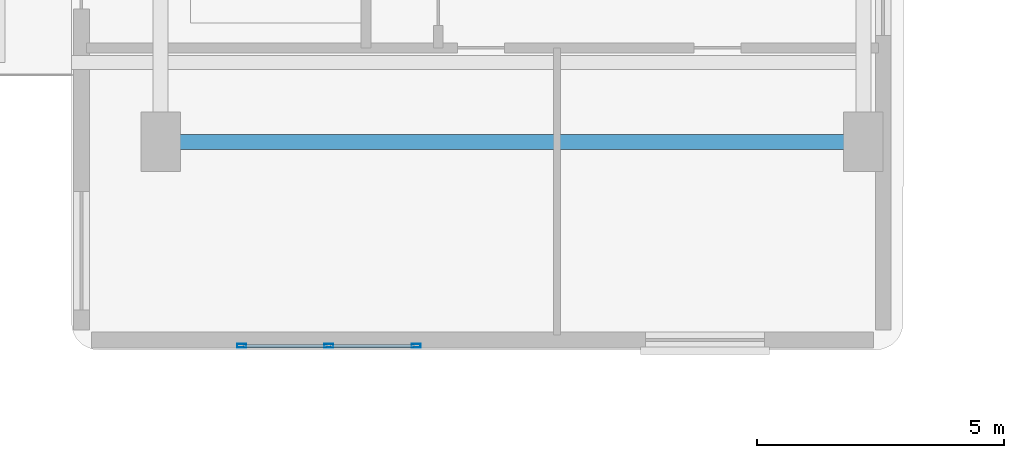
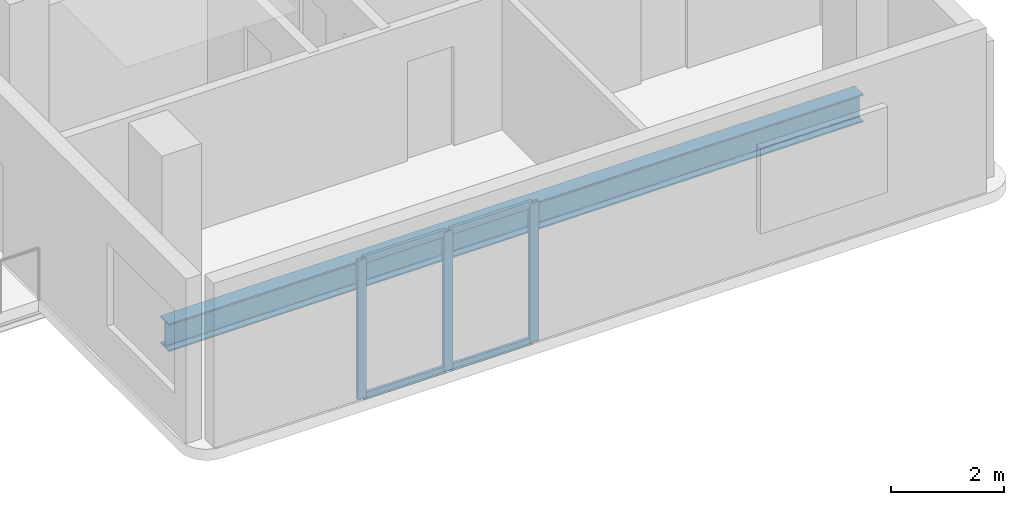
# One storey, part 2 of 16: 7 members, 1 beam, 1 element without a shape of its own.
"""IFC4 building model written with IfcOpenShell, lengths in metres."""

from ifc_helpers import new_model, si_unit, direction, frame, origin, origin_2d, place, context, subcontext, project, spatial, hollow_rectangle, i_section, extrude, material, material_profile, profile_set, type_object, element, aggregate, save


model = new_model("IFC4")

# Units and contexts
model_context = context("Model", 3, precision=1e-05, world=origin(), true_north=direction((0.0, 1.0)))
body_context = subcontext(model_context, "Body", "Model", "MODEL_VIEW")
ifc_project = project(units=[si_unit("LENGTHUNIT", "METRE"), si_unit("AREAUNIT", "SQUARE_METRE"), si_unit("VOLUMEUNIT", "CUBIC_METRE"), si_unit("PLANEANGLEUNIT", "RADIAN"), si_unit("MASSUNIT", "GRAM", prefix="KILO")], contexts=[model_context])

# Site, building, storey
site_placement = place(None, origin())
site = spatial("IfcSite", under=ifc_project, at=site_placement, CompositionType="ELEMENT")
building_placement = place(site_placement, origin())
building = spatial("IfcBuilding", under=site, at=building_placement, Name="Kuzgunbayir Cultural Tower", CompositionType="ELEMENT")
storey_placement = place(building_placement, frame((0.0, 0.0, 75.60009765625)))
storey = spatial("IfcBuildingStorey", under=building, at=storey_placement, Name="L21", CompositionType="ELEMENT", Elevation=75.60009765625)

# Beam
ifc_material_1 = material(Name="Steel S355J2", Category="steel")
ifc_material_profile_1 = material_profile(ifc_material_1, i_section(OverallWidth=0.300048828125, OverallDepth=0.60009765625, WebThickness=0.015380859375, FlangeThickness=0.030029296875, FilletRadius=0.027099609375, at=origin_2d()), Name="HEB 600")
ifc_profile_set_1 = profile_set([ifc_material_profile_1], Name="Steel S355J2")
beam_type = type_object("IfcBeamType", Name="BM-GIR-HEB600", PredefinedType="BEAM", material=ifc_profile_set_1)
beam_placement = place(storey_placement, frame((5.39990234375, 12.60009765625, -0.5400390625), z_axis=(1.0, 0.0, 0.0), x_axis=(0.0, 1.0, 0.0)))
element("IfcBeam", 1, at=beam_placement, inside=storey, type_object=beam_type, Name="L21 Wing A Transverse Girder 1", PredefinedType="BEAM", context=body_context, shape_type="SweptSolid", body=[
    extrude(i_section(OverallWidth=0.300048828125, OverallDepth=0.60009765625, WebThickness=0.015380859375, FlangeThickness=0.030029296875, FilletRadius=0.027099609375, at=origin_2d()), origin(), (0.0, 0.0, 1.0), 14.2001953125),
])

# Curtain wall, members
ifc_material_2 = material(Name="Anodised Aluminium Framing", Category="aluminium")
curtain_wall_type = type_object("IfcCurtainWallType", Name="CW03-T1-OFFICE", PredefinedType="NOTDEFINED", material=ifc_material_2)
curtain_wall_placement = place(storey_placement, origin())
curtain_wall = element("IfcCurtainWall", 2, at=curtain_wall_placement, inside=storey, type_object=curtain_wall_type, Name="L21 Wing A South Feature Curtain Wall", PredefinedType="NOTDEFINED")
ifc_material_profile_2 = material_profile(ifc_material_2, hollow_rectangle(XDim=0.074951171875, YDim=0.179931640625, WallThickness=0.0048828125, at=origin_2d()), Name="RHS 180x75x5")
ifc_profile_set_2 = profile_set([ifc_material_profile_2], Name="Anodised Aluminium Framing")
member_type_1 = type_object("IfcMemberType", Name="MEM-CW-MULLION-180", PredefinedType="MULLION", material=ifc_profile_set_2)
member_1_placement = place(storey_placement, frame((7.03759765625, 8.47998046875, 0.0), z_axis=(0.0, 0.0, 1.0), x_axis=(0.0, 1.0, 0.0)))
member_1 = element("IfcMember", 3, at=member_1_placement, type_object=member_type_1, Name="CW03 mullion 1", PredefinedType="MULLION", context=body_context, shape_type="SweptSolid", body=[
    extrude(hollow_rectangle(XDim=0.074951171875, YDim=0.179931640625, WallThickness=0.0048828125, at=origin_2d()), origin(), (0.0, 0.0, 1.0), 3.010009765625),
])
member_2_placement = place(storey_placement, frame((8.800048828125, 8.47998046875, 0.0), z_axis=(0.0, 0.0, 1.0), x_axis=(0.0, 1.0, 0.0)))
member_2 = element("IfcMember", 4, at=member_2_placement, type_object=member_type_1, Name="CW03 mullion 2", PredefinedType="MULLION", context=body_context, shape_type="SweptSolid", body=[
    extrude(hollow_rectangle(XDim=0.074951171875, YDim=0.179931640625, WallThickness=0.0048828125, at=origin_2d()), origin(), (0.0, 0.0, 1.0), 3.010009765625),
])
member_3_placement = place(storey_placement, frame((10.5625, 8.47998046875, 0.0), z_axis=(0.0, 0.0, 1.0), x_axis=(0.0, 1.0, 0.0)))
member_3 = element("IfcMember", 5, at=member_3_placement, type_object=member_type_1, Name="CW03 mullion 3", PredefinedType="MULLION", context=body_context, shape_type="SweptSolid", body=[
    extrude(hollow_rectangle(XDim=0.074951171875, YDim=0.179931640625, WallThickness=0.0048828125, at=origin_2d()), origin(), (0.0, 0.0, 1.0), 3.010009765625),
])
ifc_material_profile_3 = material_profile(ifc_material_2, hollow_rectangle(XDim=0.06005859375, YDim=0.14990234375, WallThickness=0.00390625, at=origin_2d()), Name="RHS 150x60x4")
ifc_profile_set_3 = profile_set([ifc_material_profile_3], Name="Anodised Aluminium Framing")
member_type_2 = type_object("IfcMemberType", Name="MEM-CW-TRANSOM-150", PredefinedType="USERDEFINED", material=ifc_profile_set_3)
member_4_placement = place(storey_placement, frame((7.074951171875, 8.47998046875, 0.02978515625), z_axis=(1.0, 0.0, 0.0), x_axis=(0.0, 1.0, 0.0)))
member_4 = element("IfcMember", 6, at=member_4_placement, type_object=member_type_2, Name="CW03 transom 1.1", ObjectType="TRANSOM", PredefinedType="USERDEFINED", context=body_context, shape_type="SweptSolid", body=[
    extrude(hollow_rectangle(XDim=0.06005859375, YDim=0.14990234375, WallThickness=0.00390625, at=origin_2d()), origin(), (0.0, 0.0, 1.0), 1.6875),
])
member_5_placement = place(storey_placement, frame((7.074951171875, 8.47998046875, 2.97998046875), z_axis=(1.0, 0.0, 0.0), x_axis=(0.0, 1.0, 0.0)))
member_5 = element("IfcMember", 7, at=member_5_placement, type_object=member_type_2, Name="CW03 transom 1.2", ObjectType="TRANSOM", PredefinedType="USERDEFINED", context=body_context, shape_type="SweptSolid", body=[
    extrude(hollow_rectangle(XDim=0.06005859375, YDim=0.14990234375, WallThickness=0.00390625, at=origin_2d()), origin(), (0.0, 0.0, 1.0), 1.6875),
])
member_6_placement = place(storey_placement, frame((8.83740234375, 8.47998046875, 0.02978515625), z_axis=(1.0, 0.0, 0.0), x_axis=(0.0, 1.0, 0.0)))
member_6 = element("IfcMember", 8, at=member_6_placement, type_object=member_type_2, Name="CW03 transom 2.1", ObjectType="TRANSOM", PredefinedType="USERDEFINED", context=body_context, shape_type="SweptSolid", body=[
    extrude(hollow_rectangle(XDim=0.06005859375, YDim=0.14990234375, WallThickness=0.00390625, at=origin_2d()), origin(), (0.0, 0.0, 1.0), 1.6875),
])
member_7_placement = place(storey_placement, frame((8.83740234375, 8.47998046875, 2.97998046875), z_axis=(1.0, 0.0, 0.0), x_axis=(0.0, 1.0, 0.0)))
member_7 = element("IfcMember", 9, at=member_7_placement, type_object=member_type_2, Name="CW03 transom 2.2", ObjectType="TRANSOM", PredefinedType="USERDEFINED", context=body_context, shape_type="SweptSolid", body=[
    extrude(hollow_rectangle(XDim=0.06005859375, YDim=0.14990234375, WallThickness=0.00390625, at=origin_2d()), origin(), (0.0, 0.0, 1.0), 1.6875),
])
aggregate(curtain_wall, [member_1, member_2, member_3, member_4, member_5, member_6, member_7])

save(model, "model.ifc")
